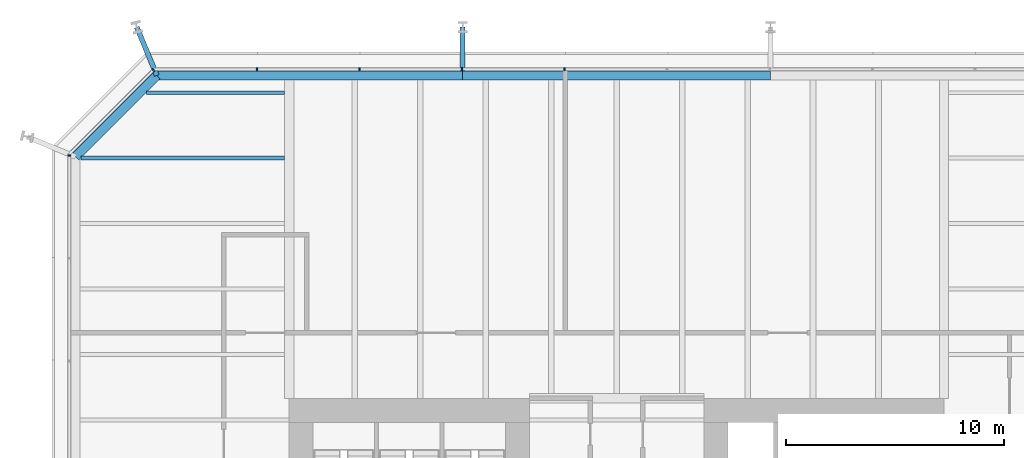
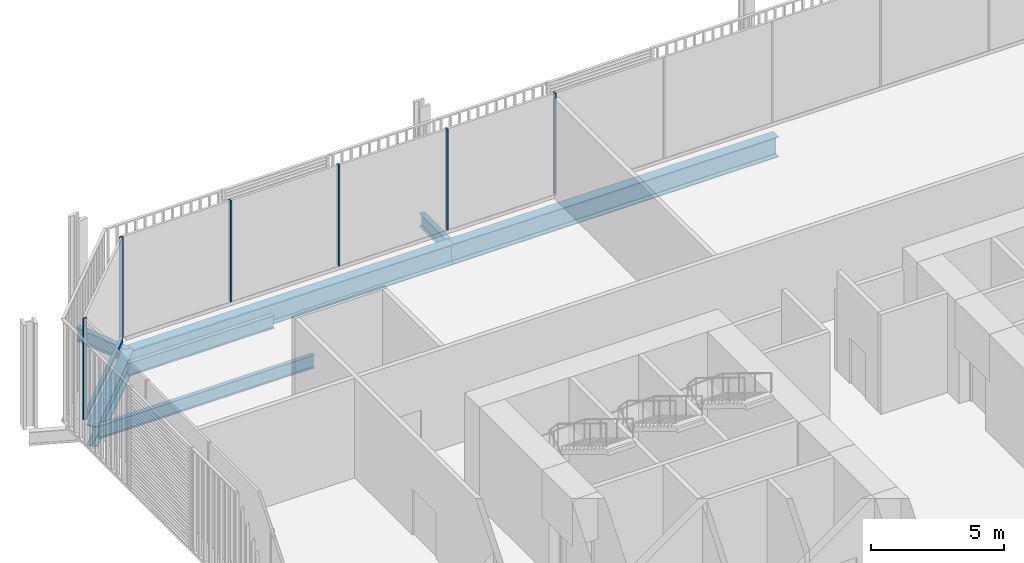
# One storey, part 14 of 22: 7 beams, 7 members, 3 elements without a shape of their own.
"""IFC4 building model written with IfcOpenShell, lengths in metres."""

from ifc_helpers import new_model, si_unit, direction, frame, origin, origin_2d, place, context, subcontext, project, spatial, rectangle, i_section, extrude, material, layer, layer_set, material_profile, profile_set, type_object, element, aggregate, save


model = new_model("IFC4")

# Units and contexts
model_context = context("Model", 3, precision=1e-05, world=origin(), true_north=direction((0.0, 1.0)))
body_context = subcontext(model_context, "Body", "Model", "MODEL_VIEW")
ifc_project = project(units=[si_unit("LENGTHUNIT", "METRE"), si_unit("AREAUNIT", "SQUARE_METRE"), si_unit("VOLUMEUNIT", "CUBIC_METRE"), si_unit("PLANEANGLEUNIT", "RADIAN"), si_unit("MASSUNIT", "GRAM", prefix="KILO")], contexts=[model_context])

# Site, building, storey
site_placement = place(None, origin())
site = spatial("IfcSite", under=ifc_project, at=site_placement, CompositionType="ELEMENT")
building_placement = place(site_placement, origin())
building = spatial("IfcBuilding", under=site, at=building_placement, Name="Millrace Tower", CompositionType="ELEMENT")
storey_placement = place(building_placement, frame((0.0, 0.0, 25.699951171875)))
storey = spatial("IfcBuildingStorey", under=building, at=storey_placement, Name="L06", CompositionType="ELEMENT", Elevation=25.699951171875)

# Curtain wall, members
ifc_material_1 = material(Name="Aluminium and glass", Category="aluminium")
ifc_layer = layer(ifc_material_1, 0.14990234375)
ifc_layer_set = layer_set([ifc_layer], Name="Aluminium and glass")
curtain_wall_type = type_object("IfcCurtainWallType", Name="CW-2 data hall insulated curtain wall", PredefinedType="NOTDEFINED", material=ifc_layer_set)
placement = place(storey_placement, origin())
curtain_wall_1 = element("IfcCurtainWall", 1, at=placement, inside=storey, type_object=curtain_wall_type, Name="Curtain wall A-F06 L06", PredefinedType="NOTDEFINED")
ifc_material_2 = material(Name="Aluminium", Category="aluminium")
ifc_material_profile_1 = material_profile(ifc_material_2, rectangle(XDim=0.06494140625, YDim=0.14990234375, at=origin_2d()))
ifc_profile_set_1 = profile_set([ifc_material_profile_1], Name="Aluminium")
member_type_1 = type_object("IfcMemberType", Name="CW-2 data hall insulated curtain wall mullion", PredefinedType="MULLION", material=ifc_profile_set_1)
member_1_placement = place(storey_placement, frame((-2.382568359375, 25.074951171875, 0.16015625), z_axis=(0.0, 0.0, 1.0), x_axis=(-1.0, 0.0, 0.0)))
member_1 = element("IfcMember", 2, at=member_1_placement, type_object=member_type_1, Name="CW2 mullion A-F06.6", PredefinedType="MULLION", context=body_context, shape_type="SweptSolid", body=[
    extrude(rectangle(XDim=0.06494140625, YDim=0.14990234375, at=origin_2d()), origin(), (0.0, 0.0, 1.0), 4.639892578125),
])
member_2_placement = place(storey_placement, frame((-7.08251953125, 25.074951171875, 0.16015625), z_axis=(0.0, 0.0, 1.0), x_axis=(-1.0, 0.0, 0.0)))
member_2 = element("IfcMember", 3, at=member_2_placement, type_object=member_type_1, Name="CW2 mullion A-F06.7", PredefinedType="MULLION", context=body_context, shape_type="SweptSolid", body=[
    extrude(rectangle(XDim=0.06494140625, YDim=0.14990234375, at=origin_2d()), origin(), (0.0, 0.0, 1.0), 4.639892578125),
])
member_3_placement = place(storey_placement, frame((-11.782470703125, 25.074951171875, 0.16015625), z_axis=(0.0, 0.0, 1.0), x_axis=(-1.0, 0.0, 0.0)))
member_3 = element("IfcMember", 4, at=member_3_placement, type_object=member_type_1, Name="CW2 mullion A-F06.8", PredefinedType="MULLION", context=body_context, shape_type="SweptSolid", body=[
    extrude(rectangle(XDim=0.06494140625, YDim=0.14990234375, at=origin_2d()), origin(), (0.0, 0.0, 1.0), 4.639892578125),
])
member_4_placement = place(storey_placement, frame((-16.482421875, 25.074951171875, 0.16015625), z_axis=(0.0, 0.0, 1.0), x_axis=(-1.0, 0.0, 0.0)))
member_4 = element("IfcMember", 5, at=member_4_placement, type_object=member_type_1, Name="CW2 mullion A-F06.9", PredefinedType="MULLION", context=body_context, shape_type="SweptSolid", body=[
    extrude(rectangle(XDim=0.06494140625, YDim=0.14990234375, at=origin_2d()), origin(), (0.0, 0.0, 1.0), 4.639892578125),
])
aggregate(curtain_wall_1, [member_1, member_2, member_3, member_4])

# Curtain wall, member
curtain_wall_2 = element("IfcCurtainWall", 6, at=placement, inside=storey, type_object=curtain_wall_type, Name="Curtain wall A-F07 L06", PredefinedType="NOTDEFINED")
member_5_placement = place(storey_placement, frame((-21.22607421875, 25.030029296875, 0.16015625), z_axis=(0.0, 0.0, 1.0), x_axis=(-0.707106781187, -0.707106781187, 0.0)))
member_5 = element("IfcMember", 7, at=member_5_placement, type_object=member_type_1, Name="CW2 mullion A-F07.1", PredefinedType="MULLION", context=body_context, shape_type="SweptSolid", body=[
    extrude(rectangle(XDim=0.06494140625, YDim=0.14990234375, at=origin_2d()), origin(), (0.0, 0.0, 1.0), 4.639892578125),
])

curtain_wall_3 = element("IfcCurtainWall", 8, at=placement, inside=storey, type_object=curtain_wall_type, Name="Curtain wall A-F08 L06", PredefinedType="NOTDEFINED")
member_6_placement = place(storey_placement, frame((-25.074951171875, 21.117431640625, 0.16015625), z_axis=(0.0, 0.0, 1.0), x_axis=(0.0, -1.0, 0.0)))
member_6 = element("IfcMember", 9, at=member_6_placement, type_object=member_type_1, Name="CW2 mullion A-F08.1", PredefinedType="MULLION", context=body_context, shape_type="SweptSolid", body=[
    extrude(rectangle(XDim=0.06494140625, YDim=0.14990234375, at=origin_2d()), origin(), (0.0, 0.0, 1.0), 4.639892578125),
])
aggregate(curtain_wall_3, [member_6])

# Member
ifc_material_3 = material(Name="Aluminium", Category="aluminium")
ifc_material_profile_2 = material_profile(ifc_material_3, rectangle(XDim=0.14990234375, YDim=0.159912109375, at=origin_2d()))
ifc_profile_set_2 = profile_set([ifc_material_profile_2], Name="Aluminium")
member_type_2 = type_object("IfcMemberType", Name="CW-2 data hall insulated curtain wall transom", PredefinedType="USERDEFINED", material=ifc_profile_set_2)
member_7_placement = place(storey_placement, frame((-21.273681640625, 24.982421875, 0.080078125), z_axis=(-0.707106781187, -0.707106781187, 0.0), x_axis=(0.707106781187, -0.707106781187, 0.0)))
member_7 = element("IfcMember", 10, at=member_7_placement, type_object=member_type_2, Name="CW2 transom A-F07.1", ObjectType="TRANSOM", PredefinedType="USERDEFINED", context=body_context, shape_type="SweptSolid", body=[
    extrude(rectangle(XDim=0.14990234375, YDim=0.159912109375, at=origin_2d()), origin(), (0.0, 0.0, 1.0), 5.244873046875),
])

aggregate(curtain_wall_2, [member_5, member_7])

# Beams
ifc_material_4 = material(Name="Steel ASTM A992 Grade 50", Category="steel")
ifc_material_profile_3 = material_profile(ifc_material_4, i_section(OverallWidth=0.177978515625, OverallDepth=0.599365234375, WebThickness=0.010009765625, FlangeThickness=0.012939453125, FilletRadius=0.012939453125, at=origin_2d()))
ifc_profile_set_3 = profile_set([ifc_material_profile_3], Name="Steel ASTM A992 Grade 50")
beam_type_1 = type_object("IfcBeamType", Name="Floor beam W24x55", PredefinedType="JOIST", material=ifc_profile_set_3)
beam_1_placement = place(storey_placement, frame((-21.52978515625, 24.0, -0.524658203125), z_axis=(1.0, 0.0, 0.0), x_axis=(0.0, 1.0, 0.0)))
element("IfcBeam", 11, at=beam_1_placement, inside=storey, type_object=beam_type_1, Name="BM-A-L06-S1-S040", PredefinedType="JOIST", context=body_context, shape_type="SweptSolid", body=[
    extrude(i_section(OverallWidth=0.177978515625, OverallDepth=0.599365234375, WebThickness=0.010009765625, FlangeThickness=0.012939453125, FilletRadius=0.012939453125, at=origin_2d()), origin(), (0.0, 0.0, 1.0), 6.317626953125),
])
ifc_material_5 = material(Name="Steel ASTM A992 Grade 50", Category="steel")
ifc_material_profile_4 = material_profile(ifc_material_5, i_section(OverallWidth=0.1787109375, OverallDepth=0.60205078125, WebThickness=0.010986328125, FlangeThickness=0.014892578125, FilletRadius=0.0126953125, at=origin_2d()))
ifc_profile_set_4 = profile_set([ifc_material_profile_4], Name="Steel ASTM A992 Grade 50")
beam_type_2 = type_object("IfcBeamType", Name="Floor beam W24x62", PredefinedType="JOIST", material=ifc_profile_set_4)
beam_2_placement = place(storey_placement, frame((-24.52978515625, 21.0, -0.52587890625), z_axis=(1.0, 0.0, 0.0), x_axis=(0.0, 1.0, 0.0)))
element("IfcBeam", 12, at=beam_2_placement, inside=storey, type_object=beam_type_2, Name="BM-A-L06-S1-S038", PredefinedType="JOIST", context=body_context, shape_type="SweptSolid", body=[
    extrude(i_section(OverallWidth=0.1787109375, OverallDepth=0.60205078125, WebThickness=0.010986328125, FlangeThickness=0.014892578125, FilletRadius=0.0126953125, at=origin_2d()), origin(), (0.0, 0.0, 1.0), 9.317626953125),
])
ifc_material_6 = material(Name="Steel ASTM A992 Grade 50", Category="steel")
ifc_material_profile_5 = material_profile(ifc_material_6, i_section(OverallWidth=0.23046875, OverallDepth=0.6171875, WebThickness=0.01318359375, FlangeThickness=0.022216796875, FilletRadius=0.012939453125, at=origin_2d()))
ifc_profile_set_5 = profile_set([ifc_material_profile_5], Name="Steel ASTM A992 Grade 50")
beam_type_3 = type_object("IfcBeamType", Name="Link beam W24x94", PredefinedType="BEAM", material=ifc_profile_set_5)
beam_3_placement = place(storey_placement, frame((-21.062744140625, 24.7890625, -0.533447265625), z_axis=(-0.382673155247, 0.923883789366, 0.0), x_axis=(-0.923883789366, -0.382673155247, 0.0)))
element("IfcBeam", 13, at=beam_3_placement, inside=storey, type_object=beam_type_3, Name="LNK-A-L06-S1-05", PredefinedType="BEAM", context=body_context, shape_type="SweptSolid", body=[
    extrude(i_section(OverallWidth=0.23046875, OverallDepth=0.6171875, WebThickness=0.01318359375, FlangeThickness=0.022216796875, FilletRadius=0.012939453125, at=origin_2d()), origin(), (0.0, 0.0, 1.0), 2.39306640625),
])
beam_4_placement = place(storey_placement, frame((-7.050048828125, 25.0, -0.533447265625), z_axis=(0.0, 1.0, 0.0), x_axis=(-1.0, 0.0, 0.0)))
element("IfcBeam", 14, at=beam_4_placement, inside=storey, type_object=beam_type_3, Name="LNK-A-L06-S1-06", PredefinedType="BEAM", context=body_context, shape_type="SweptSolid", body=[
    extrude(i_section(OverallWidth=0.23046875, OverallDepth=0.6171875, WebThickness=0.01318359375, FlangeThickness=0.022216796875, FilletRadius=0.012939453125, at=origin_2d()), origin(), (0.0, 0.0, 1.0), 2.0),
])
ifc_material_7 = material(Name="Steel ASTM A992 Grade 50", Category="steel")
ifc_material_profile_6 = material_profile(ifc_material_7, i_section(OverallWidth=0.421630859375, OverallDepth=0.937255859375, WebThickness=0.021240234375, FlangeThickness=0.03662109375, FilletRadius=0.024169921875, at=origin_2d()))
ifc_profile_set_6 = profile_set([ifc_material_profile_6], Name="Steel ASTM A992 Grade 50")
beam_type_4 = type_object("IfcBeamType", Name="Ring beam medium span W36x262", PredefinedType="SPANDREL", material=ifc_profile_set_6)
beam_5_placement = place(storey_placement, frame((-21.062744140625, 24.7890625, -0.693603515625), z_axis=(1.0, 0.0, 0.0), x_axis=(0.0, 1.0, 0.0)))
element("IfcBeam", 15, at=beam_5_placement, inside=storey, type_object=beam_type_4, Name="RNG-A-L06-S1-05", PredefinedType="SPANDREL", context=body_context, shape_type="SweptSolid", body=[
    extrude(i_section(OverallWidth=0.421630859375, OverallDepth=0.937255859375, WebThickness=0.021240234375, FlangeThickness=0.03662109375, FilletRadius=0.024169921875, at=origin_2d()), origin(), (0.0, 0.0, 1.0), 14.0126953125),
])
beam_6_placement = place(storey_placement, frame((-7.050048828125, 24.7890625, -0.693603515625), z_axis=(1.0, 0.0, 0.0), x_axis=(0.0, 1.0, 0.0)))
element("IfcBeam", 16, at=beam_6_placement, inside=storey, type_object=beam_type_4, Name="RNG-A-L06-S1-06", PredefinedType="SPANDREL", context=body_context, shape_type="SweptSolid", body=[
    extrude(i_section(OverallWidth=0.421630859375, OverallDepth=0.937255859375, WebThickness=0.021240234375, FlangeThickness=0.03662109375, FilletRadius=0.024169921875, at=origin_2d()), origin(), (0.0, 0.0, 1.0), 14.10009765625),
])
ifc_material_8 = material(Name="Steel ASTM A992 Grade 50", Category="steel")
ifc_material_profile_7 = material_profile(ifc_material_8, i_section(OverallWidth=0.421630859375, OverallDepth=0.937255859375, WebThickness=0.021240234375, FlangeThickness=0.03662109375, FilletRadius=0.024169921875, at=origin_2d()))
ifc_profile_set_7 = profile_set([ifc_material_profile_7], Name="Steel ASTM A992 Grade 50")
beam_type_5 = type_object("IfcBeamType", Name="Ring beam short span W36x262", PredefinedType="SPANDREL", material=ifc_profile_set_7)
beam_7_placement = place(storey_placement, frame((-24.7890625, 21.062744140625, -0.693603515625), z_axis=(0.707106781187, 0.707106781187, 0.0), x_axis=(-0.707106781187, 0.707106781187, 0.0)))
element("IfcBeam", 17, at=beam_7_placement, inside=storey, type_object=beam_type_5, Name="RNG-A-L06-S1-04", PredefinedType="SPANDREL", context=body_context, shape_type="SweptSolid", body=[
    extrude(i_section(OverallWidth=0.421630859375, OverallDepth=0.937255859375, WebThickness=0.021240234375, FlangeThickness=0.03662109375, FilletRadius=0.024169921875, at=origin_2d()), origin(), (0.0, 0.0, 1.0), 5.269775390625),
])

save(model, "model.ifc")
